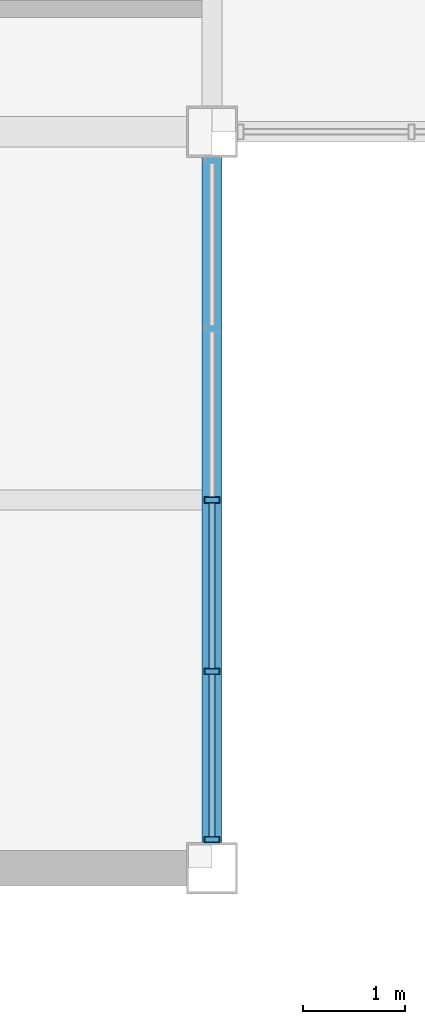
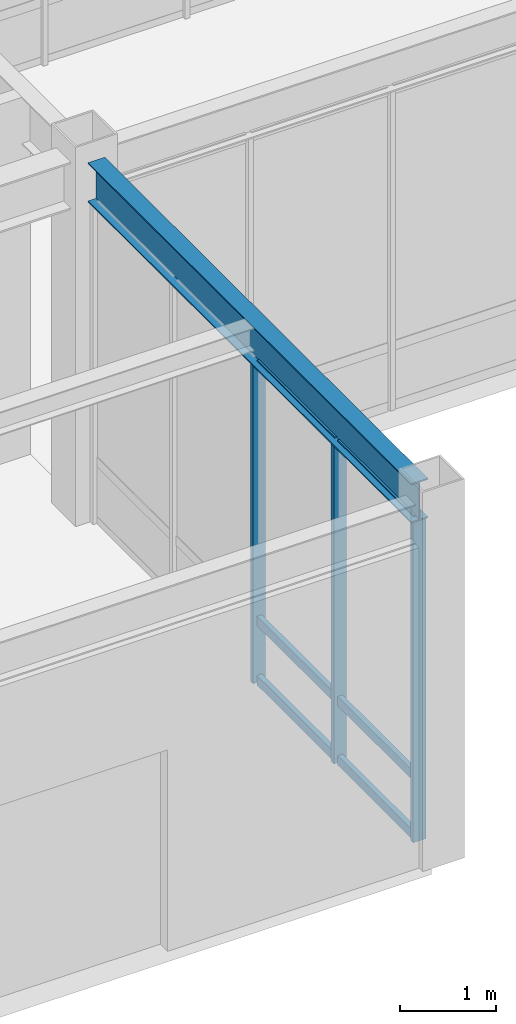
# One storey, part 32 of 112: 9 members, 1 beam, 1 element without a shape of its own.
"""IFC4 building model written with IfcOpenShell, lengths in metres."""

from ifc_helpers import new_model, si_unit, direction, frame, origin, origin_2d, place, context, subcontext, project, spatial, hollow_rectangle, i_section, extrude, material, material_profile, profile_set, type_object, element, aggregate, save


model = new_model("IFC4")

# Units and contexts
model_context = context("Model", 3, precision=1e-05, world=origin(), true_north=direction((0.0, 1.0)))
body_context = subcontext(model_context, "Body", "Model", "MODEL_VIEW")
ifc_project = project(units=[si_unit("LENGTHUNIT", "METRE"), si_unit("AREAUNIT", "SQUARE_METRE"), si_unit("VOLUMEUNIT", "CUBIC_METRE"), si_unit("PLANEANGLEUNIT", "RADIAN"), si_unit("MASSUNIT", "GRAM", prefix="KILO")], contexts=[model_context])

# Site, building, storey
site_placement = place(None, origin())
site = spatial("IfcSite", under=ifc_project, at=site_placement, CompositionType="ELEMENT")
building_placement = place(site_placement, origin())
building = spatial("IfcBuilding", under=site, at=building_placement, Name="Kazanami Central Library", CompositionType="ELEMENT")
storey_placement = place(building_placement, origin())
storey = spatial("IfcBuildingStorey", under=building, at=storey_placement, Name="L01", CompositionType="ELEMENT", Elevation=0.0)

# Beam
ifc_material_1 = material(Name="Steel SN490B (325 MPa)", Category="steel")
ifc_material_profile_1 = material_profile(ifc_material_1, i_section(OverallWidth=0.199951171875, OverallDepth=0.5, WebThickness=0.010009765625, FlangeThickness=0.01611328125, at=origin_2d()), Name="H-500x200x10x16")
ifc_profile_set_1 = profile_set([ifc_material_profile_1], Name="Steel SN490B (325 MPa)")
beam_type = type_object("IfcBeamType", Name="BM-SP-1", PredefinedType="SPANDREL", material=ifc_profile_set_1)
beam_placement = place(storey_placement, frame((36.0, 57.847900390625, 4.304931640625), z_axis=(0.0, 1.0, 0.0), x_axis=(-1.0, 0.0, 0.0)))
element("IfcBeam", 1, at=beam_placement, inside=storey, type_object=beam_type, Name="Girder SP-1 L01 5/J-K", PredefinedType="SPANDREL", context=body_context, shape_type="SweptSolid", body=[
    extrude(i_section(OverallWidth=0.199951171875, OverallDepth=0.5, WebThickness=0.010009765625, FlangeThickness=0.01611328125, at=origin_2d()), origin(), (0.0, 0.0, 1.0), 6.7041015625),
])

# Curtain wall, members
ifc_material_2 = material(Name="Acid-Etched Low-E Laminated Glass", Category="glass")
curtain_wall_type = type_object("IfcCurtainWallType", Name="CW-6700x4055-M180", PredefinedType="USERDEFINED", material=ifc_material_2)
curtain_wall_placement = place(storey_placement, origin())
curtain_wall = element("IfcCurtainWall", 2, at=curtain_wall_placement, inside=storey, type_object=curtain_wall_type, Name="Covered Link Bridge Curtain Wall CW-09 L01 E-5-08", ObjectType="UNITISED CURTAIN WALL", PredefinedType="USERDEFINED")
ifc_material_3 = material(Name="Anodised Aluminium A6063-T5", Category="aluminium")
ifc_material_profile_2 = material_profile(ifc_material_3, hollow_rectangle(XDim=0.06005859375, YDim=0.14990234375, WallThickness=0.00390625, at=origin_2d()), Name="ALU-MULL-60x150x4")
ifc_profile_set_2 = profile_set([ifc_material_profile_2], Name="Anodised Aluminium A6063-T5")
member_type_1 = type_object("IfcMemberType", Name="MEM-CW-M3", PredefinedType="MULLION", material=ifc_profile_set_2)
member_1_placement = place(storey_placement, frame((36.0, 61.199951171875, 0.0), z_axis=(0.0, 0.0, 1.0), x_axis=(0.0, -1.0, 0.0)))
member_1 = element("IfcMember", 3, at=member_1_placement, type_object=member_type_1, Name="CW-09 mullion 3", PredefinedType="MULLION", context=body_context, shape_type="SweptSolid", body=[
    extrude(hollow_rectangle(XDim=0.06005859375, YDim=0.14990234375, WallThickness=0.00390625, at=origin_2d()), origin(), (0.0, 0.0, 1.0), 4.054931640625),
])
member_2_placement = place(storey_placement, frame((36.0, 59.52490234375, 0.0), z_axis=(0.0, 0.0, 1.0), x_axis=(0.0, -1.0, 0.0)))
member_2 = element("IfcMember", 4, at=member_2_placement, type_object=member_type_1, Name="CW-09 mullion 4", PredefinedType="MULLION", context=body_context, shape_type="SweptSolid", body=[
    extrude(hollow_rectangle(XDim=0.06005859375, YDim=0.14990234375, WallThickness=0.00390625, at=origin_2d()), origin(), (0.0, 0.0, 1.0), 4.054931640625),
])
member_3_placement = place(storey_placement, frame((36.0, 57.8798828125, 0.0), z_axis=(0.0, 0.0, 1.0), x_axis=(0.0, -1.0, 0.0)))
member_3 = element("IfcMember", 5, at=member_3_placement, type_object=member_type_1, Name="CW-09 mullion 5", PredefinedType="MULLION", context=body_context, shape_type="SweptSolid", body=[
    extrude(hollow_rectangle(XDim=0.06005859375, YDim=0.14990234375, WallThickness=0.00390625, at=origin_2d()), origin(), (0.0, 0.0, 1.0), 4.054931640625),
])
ifc_material_profile_3 = material_profile(ifc_material_3, hollow_rectangle(XDim=0.06005859375, YDim=0.1201171875, WallThickness=0.00341796875, at=origin_2d()), Name="ALU-TRAN-60x120x3.5")
ifc_profile_set_3 = profile_set([ifc_material_profile_3], Name="Anodised Aluminium A6063-T5")
member_type_2 = type_object("IfcMemberType", Name="MEM-CW-T3", PredefinedType="USERDEFINED", material=ifc_profile_set_3)
member_4_placement = place(storey_placement, frame((36.0, 61.169921875, 0.030029296875), z_axis=(0.0, -1.0, 0.0), x_axis=(1.0, 0.0, 0.0)))
member_4 = element("IfcMember", 6, at=member_4_placement, type_object=member_type_2, Name="CW-09 transom 3.1", ObjectType="TRANSOM", PredefinedType="USERDEFINED", context=body_context, shape_type="SweptSolid", body=[
    extrude(hollow_rectangle(XDim=0.06005859375, YDim=0.1201171875, WallThickness=0.00341796875, at=origin_2d()), origin(), (0.0, 0.0, 1.0), 1.614990234375),
])
member_5_placement = place(storey_placement, frame((36.0, 61.169921875, 0.780029296875), z_axis=(0.0, -1.0, 0.0), x_axis=(1.0, 0.0, 0.0)))
member_5 = element("IfcMember", 7, at=member_5_placement, type_object=member_type_2, Name="CW-09 transom 3.2", ObjectType="TRANSOM", PredefinedType="USERDEFINED", context=body_context, shape_type="SweptSolid", body=[
    extrude(hollow_rectangle(XDim=0.06005859375, YDim=0.1201171875, WallThickness=0.00341796875, at=origin_2d()), origin(), (0.0, 0.0, 1.0), 1.614990234375),
])
member_6_placement = place(storey_placement, frame((36.0, 61.169921875, 4.02490234375), z_axis=(0.0, -1.0, 0.0), x_axis=(1.0, 0.0, 0.0)))
member_6 = element("IfcMember", 8, at=member_6_placement, type_object=member_type_2, Name="CW-09 transom 3.3", ObjectType="TRANSOM", PredefinedType="USERDEFINED", context=body_context, shape_type="SweptSolid", body=[
    extrude(hollow_rectangle(XDim=0.06005859375, YDim=0.1201171875, WallThickness=0.00341796875, at=origin_2d()), origin(), (0.0, 0.0, 1.0), 1.614990234375),
])
member_7_placement = place(storey_placement, frame((36.0, 59.4951171875, 0.030029296875), z_axis=(0.0, -1.0, 0.0), x_axis=(1.0, 0.0, 0.0)))
member_7 = element("IfcMember", 9, at=member_7_placement, type_object=member_type_2, Name="CW-09 transom 4.1", ObjectType="TRANSOM", PredefinedType="USERDEFINED", context=body_context, shape_type="SweptSolid", body=[
    extrude(hollow_rectangle(XDim=0.06005859375, YDim=0.1201171875, WallThickness=0.00341796875, at=origin_2d()), origin(), (0.0, 0.0, 1.0), 1.585205078125),
])
member_8_placement = place(storey_placement, frame((36.0, 59.4951171875, 0.780029296875), z_axis=(0.0, -1.0, 0.0), x_axis=(1.0, 0.0, 0.0)))
member_8 = element("IfcMember", 10, at=member_8_placement, type_object=member_type_2, Name="CW-09 transom 4.2", ObjectType="TRANSOM", PredefinedType="USERDEFINED", context=body_context, shape_type="SweptSolid", body=[
    extrude(hollow_rectangle(XDim=0.06005859375, YDim=0.1201171875, WallThickness=0.00341796875, at=origin_2d()), origin(), (0.0, 0.0, 1.0), 1.585205078125),
])
member_9_placement = place(storey_placement, frame((36.0, 59.4951171875, 4.02490234375), z_axis=(0.0, -1.0, 0.0), x_axis=(1.0, 0.0, 0.0)))
member_9 = element("IfcMember", 11, at=member_9_placement, type_object=member_type_2, Name="CW-09 transom 4.3", ObjectType="TRANSOM", PredefinedType="USERDEFINED", context=body_context, shape_type="SweptSolid", body=[
    extrude(hollow_rectangle(XDim=0.06005859375, YDim=0.1201171875, WallThickness=0.00341796875, at=origin_2d()), origin(), (0.0, 0.0, 1.0), 1.585205078125),
])
aggregate(curtain_wall, [member_1, member_2, member_3, member_4, member_5, member_6, member_7, member_8, member_9])

save(model, "model.ifc")
